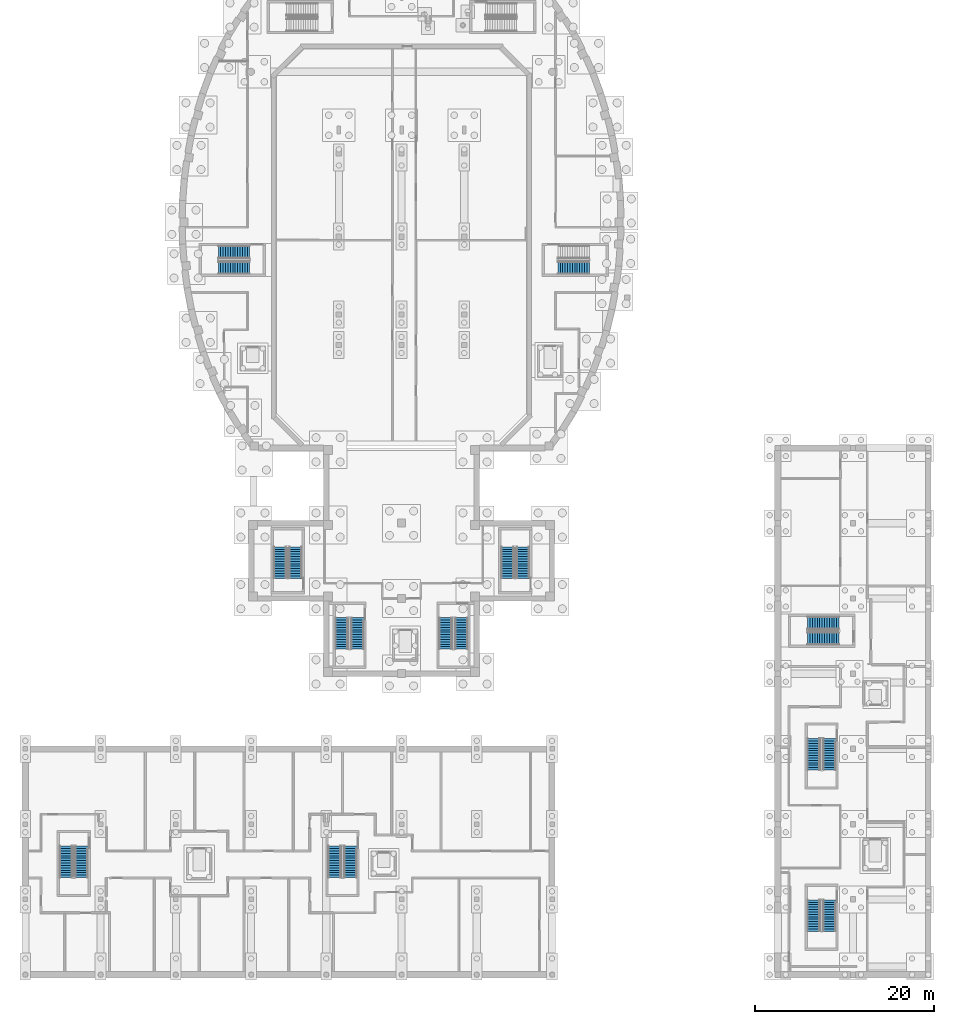
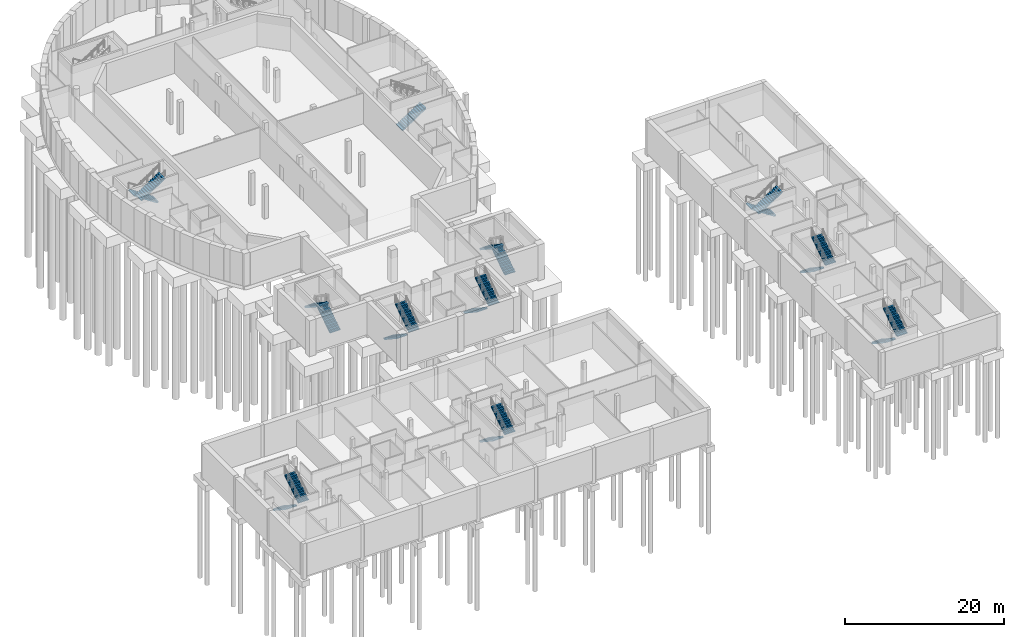
# One storey, part 17 of 33: 21 stair flights, 11 elements without a shape of their own.
"""IFC4 building model written with IfcOpenShell, lengths in metres."""

from ifc_helpers import new_model, si_unit, direction, frame, origin, place, context, subcontext, project, spatial, polyline, outline, extrude, material, type_object, element, aggregate, save


model = new_model("IFC4")

# Units and contexts
model_context = context("Model", 3, precision=1e-05, world=origin(), true_north=direction((0.0, 1.0)))
body_context = subcontext(model_context, "Body", "Model", "MODEL_VIEW")
ifc_project = project(units=[si_unit("LENGTHUNIT", "METRE"), si_unit("AREAUNIT", "SQUARE_METRE"), si_unit("VOLUMEUNIT", "CUBIC_METRE"), si_unit("PLANEANGLEUNIT", "RADIAN"), si_unit("MASSUNIT", "GRAM", prefix="KILO")], contexts=[model_context])

# Site, building, storey
site_placement = place(None, origin())
site = spatial("IfcSite", under=ifc_project, at=site_placement, CompositionType="ELEMENT")
building_placement = place(site_placement, origin())
building = spatial("IfcBuilding", under=site, at=building_placement, Name="Larchfold Concert Hall", CompositionType="ELEMENT")
storey_placement = place(building_placement, frame((0.0, 0.0, -5.0)))
storey = spatial("IfcBuildingStorey", under=building, at=storey_placement, Name="B1", CompositionType="ELEMENT", Elevation=-5.0)

# Stair, stair flights
ifc_material_1 = material(Name="Concrete C35/45", Category="concrete")
stair_type = type_object("IfcStairType", Name="Stair RC half-turn enclosed", PredefinedType="HALF_TURN_STAIR", material=ifc_material_1)
stair_1_placement = place(storey_placement, origin())
stair_1 = element("IfcStair", 1, at=stair_1_placement, inside=storey, type_object=stair_type, Name="Stair DS7", PredefinedType="HALF_TURN_STAIR")
ifc_material_2 = material(Name="Concrete C35/45", Category="concrete")
stair_flight_type = type_object("IfcStairFlightType", Name="Stair flight RC 1500 x 178.6", PredefinedType="STRAIGHT", material=ifc_material_2)
stair_flight_1_placement = place(storey_placement, frame((25.64990234375, 81.25, 0.0), z_axis=(0.0, 0.0, 1.0), x_axis=(-1.0, 0.0, 0.0)))
stair_flight_1 = element("IfcStairFlight", 2, at=stair_flight_1_placement, type_object=stair_flight_type, Name="ST07 flight 1", NumberOfRisers=14, NumberOfTreads=13, PredefinedType="STRAIGHT", RiserHeight=0.178571429, TreadLength=0.27, context=body_context, shape_type="SweptSolid", body=[
    extrude(outline(polyline([(0.0, 0.0), (0.0, 0.178466796875), (0.27001953125, 0.178466796875), (0.27001953125, 0.357177734375), (0.5400390625, 0.357177734375), (0.5400390625, 0.53564453125), (0.81005859375, 0.53564453125), (0.81005859375, 0.71435546875), (1.080078125, 0.71435546875), (1.080078125, 0.892822265625), (1.35009765625, 0.892822265625), (1.35009765625, 1.071533203125), (1.6201171875, 1.071533203125), (1.6201171875, 1.25), (1.889892578125, 1.25), (1.889892578125, 1.428466796875), (2.159912109375, 1.428466796875), (2.159912109375, 1.607177734375), (2.429931640625, 1.607177734375), (2.429931640625, 1.78564453125), (2.699951171875, 1.78564453125), (2.699951171875, 1.96435546875), (2.969970703125, 1.96435546875), (2.969970703125, 2.142822265625), (3.239990234375, 2.142822265625), (3.239990234375, 2.321533203125), (3.510009765625, 2.321533203125), (3.510009765625, 2.5), (3.510009765625, 2.1416015625), (0.271728515625, 0.0), (0.0, 0.0)])), frame((0.0, 0.75, 0.0), z_axis=(0.0, -1.0, 0.0), x_axis=(1.0, 0.0, 0.0)), (0.0, 0.0, 1.0), 1.5),
])
stair_flight_2_placement = place(storey_placement, frame((22.139892578125, 79.550048828125, 2.5), z_axis=(0.0, 0.0, 1.0), x_axis=(1.0, 0.0, 0.0)))
stair_flight_2 = element("IfcStairFlight", 3, at=stair_flight_2_placement, type_object=stair_flight_type, Name="ST07 flight 2", NumberOfRisers=14, NumberOfTreads=13, PredefinedType="STRAIGHT", RiserHeight=0.178571429, TreadLength=0.27, context=body_context, shape_type="SweptSolid", body=[
    extrude(outline(polyline([(0.0, 0.0), (0.0, 0.178466796875), (0.27001953125, 0.178466796875), (0.27001953125, 0.357177734375), (0.5400390625, 0.357177734375), (0.5400390625, 0.53564453125), (0.81005859375, 0.53564453125), (0.81005859375, 0.71435546875), (1.080078125, 0.71435546875), (1.080078125, 0.892822265625), (1.35009765625, 0.892822265625), (1.35009765625, 1.071533203125), (1.6201171875, 1.071533203125), (1.6201171875, 1.25), (1.889892578125, 1.25), (1.889892578125, 1.428466796875), (2.159912109375, 1.428466796875), (2.159912109375, 1.607177734375), (2.429931640625, 1.607177734375), (2.429931640625, 1.78564453125), (2.699951171875, 1.78564453125), (2.699951171875, 1.96435546875), (2.969970703125, 1.96435546875), (2.969970703125, 2.142822265625), (3.239990234375, 2.142822265625), (3.239990234375, 2.321533203125), (3.510009765625, 2.321533203125), (3.510009765625, 2.5), (3.510009765625, 2.1416015625), (0.271728515625, 0.0), (0.0, 0.0)])), frame((0.0, 0.75, 0.0), z_axis=(0.0, -1.0, 0.0), x_axis=(1.0, 0.0, 0.0)), (0.0, 0.0, 1.0), 1.5),
])
aggregate(stair_1, [stair_flight_1, stair_flight_2])

# Stair, stair flight
stair_2_placement = place(storey_placement, origin())
stair_2 = element("IfcStair", 4, at=stair_2_placement, inside=storey, type_object=stair_type, Name="Stair DS8", PredefinedType="HALF_TURN_STAIR")
stair_flight_3_placement = place(storey_placement, frame((60.050048828125, 79.550048828125, 0.0), z_axis=(0.0, 0.0, 1.0), x_axis=(1.0, 0.0, 0.0)))
stair_flight_3 = element("IfcStairFlight", 5, at=stair_flight_3_placement, type_object=stair_flight_type, Name="ST08 flight 1", NumberOfRisers=14, NumberOfTreads=13, PredefinedType="STRAIGHT", RiserHeight=0.178571429, TreadLength=0.27, context=body_context, shape_type="SweptSolid", body=[
    extrude(outline(polyline([(0.0, 0.0), (0.0, 0.178466796875), (0.27001953125, 0.178466796875), (0.27001953125, 0.357177734375), (0.5400390625, 0.357177734375), (0.5400390625, 0.53564453125), (0.81005859375, 0.53564453125), (0.81005859375, 0.71435546875), (1.080078125, 0.71435546875), (1.080078125, 0.892822265625), (1.35009765625, 0.892822265625), (1.35009765625, 1.071533203125), (1.6201171875, 1.071533203125), (1.6201171875, 1.25), (1.889892578125, 1.25), (1.889892578125, 1.428466796875), (2.159912109375, 1.428466796875), (2.159912109375, 1.607177734375), (2.429931640625, 1.607177734375), (2.429931640625, 1.78564453125), (2.699951171875, 1.78564453125), (2.699951171875, 1.96435546875), (2.969970703125, 1.96435546875), (2.969970703125, 2.142822265625), (3.239990234375, 2.142822265625), (3.239990234375, 2.321533203125), (3.510009765625, 2.321533203125), (3.510009765625, 2.5), (3.510009765625, 2.1416015625), (0.271728515625, 0.0), (0.0, 0.0)])), frame((0.0, 0.75, 0.0), z_axis=(0.0, -1.0, 0.0), x_axis=(1.0, 0.0, 0.0)), (0.0, 0.0, 1.0), 1.5),
])
aggregate(stair_2, [stair_flight_3])

# Stair, stair flights
stair_3_placement = place(storey_placement, origin())
stair_3 = element("IfcStair", 6, at=stair_3_placement, inside=storey, type_object=stair_type, Name="Stair SH1", PredefinedType="HALF_TURN_STAIR")
stair_flight_4_placement = place(storey_placement, frame((30.75, 44.85009765625, 0.0), z_axis=(0.0, 0.0, 1.0), x_axis=(0.0, 1.0, 0.0)))
stair_flight_4 = element("IfcStairFlight", 7, at=stair_flight_4_placement, type_object=stair_flight_type, Name="ST09 flight 1", NumberOfRisers=14, NumberOfTreads=13, PredefinedType="STRAIGHT", RiserHeight=0.178571429, TreadLength=0.27, context=body_context, shape_type="SweptSolid", body=[
    extrude(outline(polyline([(0.0, 0.0), (0.0, 0.178466796875), (0.27001953125, 0.178466796875), (0.27001953125, 0.357177734375), (0.5400390625, 0.357177734375), (0.5400390625, 0.53564453125), (0.81005859375, 0.53564453125), (0.81005859375, 0.71435546875), (1.080078125, 0.71435546875), (1.080078125, 0.892822265625), (1.35009765625, 0.892822265625), (1.35009765625, 1.071533203125), (1.6201171875, 1.071533203125), (1.6201171875, 1.25), (1.889892578125, 1.25), (1.889892578125, 1.428466796875), (2.159912109375, 1.428466796875), (2.159912109375, 1.607177734375), (2.429931640625, 1.607177734375), (2.429931640625, 1.78564453125), (2.699951171875, 1.78564453125), (2.699951171875, 1.96435546875), (2.969970703125, 1.96435546875), (2.969970703125, 2.142822265625), (3.239990234375, 2.142822265625), (3.239990234375, 2.321533203125), (3.510009765625, 2.321533203125), (3.510009765625, 2.5), (3.510009765625, 2.1416015625), (0.271728515625, 0.0), (0.0, 0.0)])), frame((0.0, 0.75, 0.0), z_axis=(0.0, -1.0, 0.0), x_axis=(1.0, 0.0, 0.0)), (0.0, 0.0, 1.0), 1.5),
])
stair_flight_5_placement = place(storey_placement, frame((29.050048828125, 48.360107421875, 2.5), z_axis=(0.0, 0.0, 1.0), x_axis=(0.0, -1.0, 0.0)))
stair_flight_5 = element("IfcStairFlight", 8, at=stair_flight_5_placement, type_object=stair_flight_type, Name="ST09 flight 2", NumberOfRisers=14, NumberOfTreads=13, PredefinedType="STRAIGHT", RiserHeight=0.178571429, TreadLength=0.27, context=body_context, shape_type="SweptSolid", body=[
    extrude(outline(polyline([(0.0, 0.0), (0.0, 0.178466796875), (0.27001953125, 0.178466796875), (0.27001953125, 0.357177734375), (0.5400390625, 0.357177734375), (0.5400390625, 0.53564453125), (0.81005859375, 0.53564453125), (0.81005859375, 0.71435546875), (1.080078125, 0.71435546875), (1.080078125, 0.892822265625), (1.35009765625, 0.892822265625), (1.35009765625, 1.071533203125), (1.6201171875, 1.071533203125), (1.6201171875, 1.25), (1.889892578125, 1.25), (1.889892578125, 1.428466796875), (2.159912109375, 1.428466796875), (2.159912109375, 1.607177734375), (2.429931640625, 1.607177734375), (2.429931640625, 1.78564453125), (2.699951171875, 1.78564453125), (2.699951171875, 1.96435546875), (2.969970703125, 1.96435546875), (2.969970703125, 2.142822265625), (3.239990234375, 2.142822265625), (3.239990234375, 2.321533203125), (3.510009765625, 2.321533203125), (3.510009765625, 2.5), (3.510009765625, 2.1416015625), (0.271728515625, 0.0), (0.0, 0.0)])), frame((0.0, 0.75, 0.0), z_axis=(0.0, -1.0, 0.0), x_axis=(1.0, 0.0, 0.0)), (0.0, 0.0, 1.0), 1.5),
])
aggregate(stair_3, [stair_flight_4, stair_flight_5])

stair_4_placement = place(storey_placement, origin())
stair_4 = element("IfcStair", 9, at=stair_4_placement, inside=storey, type_object=stair_type, Name="Stair SH2", PredefinedType="HALF_TURN_STAIR")
stair_flight_6_placement = place(storey_placement, frame((56.14990234375, 44.85009765625, 0.0), z_axis=(0.0, 0.0, 1.0), x_axis=(0.0, 1.0, 0.0)))
stair_flight_6 = element("IfcStairFlight", 10, at=stair_flight_6_placement, type_object=stair_flight_type, Name="ST10 flight 1", NumberOfRisers=14, NumberOfTreads=13, PredefinedType="STRAIGHT", RiserHeight=0.178571429, TreadLength=0.27, context=body_context, shape_type="SweptSolid", body=[
    extrude(outline(polyline([(0.0, 0.0), (0.0, 0.178466796875), (0.27001953125, 0.178466796875), (0.27001953125, 0.357177734375), (0.5400390625, 0.357177734375), (0.5400390625, 0.53564453125), (0.81005859375, 0.53564453125), (0.81005859375, 0.71435546875), (1.080078125, 0.71435546875), (1.080078125, 0.892822265625), (1.35009765625, 0.892822265625), (1.35009765625, 1.071533203125), (1.6201171875, 1.071533203125), (1.6201171875, 1.25), (1.889892578125, 1.25), (1.889892578125, 1.428466796875), (2.159912109375, 1.428466796875), (2.159912109375, 1.607177734375), (2.429931640625, 1.607177734375), (2.429931640625, 1.78564453125), (2.699951171875, 1.78564453125), (2.699951171875, 1.96435546875), (2.969970703125, 1.96435546875), (2.969970703125, 2.142822265625), (3.239990234375, 2.142822265625), (3.239990234375, 2.321533203125), (3.510009765625, 2.321533203125), (3.510009765625, 2.5), (3.510009765625, 2.1416015625), (0.271728515625, 0.0), (0.0, 0.0)])), frame((0.0, 0.75, 0.0), z_axis=(0.0, -1.0, 0.0), x_axis=(1.0, 0.0, 0.0)), (0.0, 0.0, 1.0), 1.5),
])
stair_flight_7_placement = place(storey_placement, frame((54.449951171875, 48.360107421875, 2.5), z_axis=(0.0, 0.0, 1.0), x_axis=(0.0, -1.0, 0.0)))
stair_flight_7 = element("IfcStairFlight", 11, at=stair_flight_7_placement, type_object=stair_flight_type, Name="ST10 flight 2", NumberOfRisers=14, NumberOfTreads=13, PredefinedType="STRAIGHT", RiserHeight=0.178571429, TreadLength=0.27, context=body_context, shape_type="SweptSolid", body=[
    extrude(outline(polyline([(0.0, 0.0), (0.0, 0.178466796875), (0.27001953125, 0.178466796875), (0.27001953125, 0.357177734375), (0.5400390625, 0.357177734375), (0.5400390625, 0.53564453125), (0.81005859375, 0.53564453125), (0.81005859375, 0.71435546875), (1.080078125, 0.71435546875), (1.080078125, 0.892822265625), (1.35009765625, 0.892822265625), (1.35009765625, 1.071533203125), (1.6201171875, 1.071533203125), (1.6201171875, 1.25), (1.889892578125, 1.25), (1.889892578125, 1.428466796875), (2.159912109375, 1.428466796875), (2.159912109375, 1.607177734375), (2.429931640625, 1.607177734375), (2.429931640625, 1.78564453125), (2.699951171875, 1.78564453125), (2.699951171875, 1.96435546875), (2.969970703125, 1.96435546875), (2.969970703125, 2.142822265625), (3.239990234375, 2.142822265625), (3.239990234375, 2.321533203125), (3.510009765625, 2.321533203125), (3.510009765625, 2.5), (3.510009765625, 2.1416015625), (0.271728515625, 0.0), (0.0, 0.0)])), frame((0.0, 0.75, 0.0), z_axis=(0.0, -1.0, 0.0), x_axis=(1.0, 0.0, 0.0)), (0.0, 0.0, 1.0), 1.5),
])
aggregate(stair_4, [stair_flight_6, stair_flight_7])

stair_5_placement = place(storey_placement, origin())
stair_5 = element("IfcStair", 12, at=stair_5_placement, inside=storey, type_object=stair_type, Name="Stair SH3", PredefinedType="HALF_TURN_STAIR")
stair_flight_8_placement = place(storey_placement, frame((35.949951171875, 40.449951171875, 0.0), z_axis=(0.0, 0.0, 1.0), x_axis=(0.0, -1.0, 0.0)))
stair_flight_8 = element("IfcStairFlight", 13, at=stair_flight_8_placement, type_object=stair_flight_type, Name="ST11 flight 1", NumberOfRisers=14, NumberOfTreads=13, PredefinedType="STRAIGHT", RiserHeight=0.178571429, TreadLength=0.27, context=body_context, shape_type="SweptSolid", body=[
    extrude(outline(polyline([(0.0, 0.0), (0.0, 0.178466796875), (0.27001953125, 0.178466796875), (0.27001953125, 0.357177734375), (0.5400390625, 0.357177734375), (0.5400390625, 0.53564453125), (0.81005859375, 0.53564453125), (0.81005859375, 0.71435546875), (1.080078125, 0.71435546875), (1.080078125, 0.892822265625), (1.35009765625, 0.892822265625), (1.35009765625, 1.071533203125), (1.6201171875, 1.071533203125), (1.6201171875, 1.25), (1.889892578125, 1.25), (1.889892578125, 1.428466796875), (2.159912109375, 1.428466796875), (2.159912109375, 1.607177734375), (2.429931640625, 1.607177734375), (2.429931640625, 1.78564453125), (2.699951171875, 1.78564453125), (2.699951171875, 1.96435546875), (2.969970703125, 1.96435546875), (2.969970703125, 2.142822265625), (3.239990234375, 2.142822265625), (3.239990234375, 2.321533203125), (3.510009765625, 2.321533203125), (3.510009765625, 2.5), (3.510009765625, 2.1416015625), (0.271728515625, 0.0), (0.0, 0.0)])), frame((0.0, 0.75, 0.0), z_axis=(0.0, -1.0, 0.0), x_axis=(1.0, 0.0, 0.0)), (0.0, 0.0, 1.0), 1.5),
])
stair_flight_9_placement = place(storey_placement, frame((37.64990234375, 36.93994140625, 2.5), z_axis=(0.0, 0.0, 1.0), x_axis=(0.0, 1.0, 0.0)))
stair_flight_9 = element("IfcStairFlight", 14, at=stair_flight_9_placement, type_object=stair_flight_type, Name="ST11 flight 2", NumberOfRisers=14, NumberOfTreads=13, PredefinedType="STRAIGHT", RiserHeight=0.178571429, TreadLength=0.27, context=body_context, shape_type="SweptSolid", body=[
    extrude(outline(polyline([(0.0, 0.0), (0.0, 0.178466796875), (0.27001953125, 0.178466796875), (0.27001953125, 0.357177734375), (0.5400390625, 0.357177734375), (0.5400390625, 0.53564453125), (0.81005859375, 0.53564453125), (0.81005859375, 0.71435546875), (1.080078125, 0.71435546875), (1.080078125, 0.892822265625), (1.35009765625, 0.892822265625), (1.35009765625, 1.071533203125), (1.6201171875, 1.071533203125), (1.6201171875, 1.25), (1.889892578125, 1.25), (1.889892578125, 1.428466796875), (2.159912109375, 1.428466796875), (2.159912109375, 1.607177734375), (2.429931640625, 1.607177734375), (2.429931640625, 1.78564453125), (2.699951171875, 1.78564453125), (2.699951171875, 1.96435546875), (2.969970703125, 1.96435546875), (2.969970703125, 2.142822265625), (3.239990234375, 2.142822265625), (3.239990234375, 2.321533203125), (3.510009765625, 2.321533203125), (3.510009765625, 2.5), (3.510009765625, 2.1416015625), (0.271728515625, 0.0), (0.0, 0.0)])), frame((0.0, 0.75, 0.0), z_axis=(0.0, -1.0, 0.0), x_axis=(1.0, 0.0, 0.0)), (0.0, 0.0, 1.0), 1.5),
])
aggregate(stair_5, [stair_flight_8, stair_flight_9])

stair_6_placement = place(storey_placement, origin())
stair_6 = element("IfcStair", 15, at=stair_6_placement, inside=storey, type_object=stair_type, Name="Stair SH4", PredefinedType="HALF_TURN_STAIR")
stair_flight_10_placement = place(storey_placement, frame((47.550048828125, 40.449951171875, 0.0), z_axis=(0.0, 0.0, 1.0), x_axis=(0.0, -1.0, 0.0)))
stair_flight_10 = element("IfcStairFlight", 16, at=stair_flight_10_placement, type_object=stair_flight_type, Name="ST12 flight 1", NumberOfRisers=14, NumberOfTreads=13, PredefinedType="STRAIGHT", RiserHeight=0.178571429, TreadLength=0.27, context=body_context, shape_type="SweptSolid", body=[
    extrude(outline(polyline([(0.0, 0.0), (0.0, 0.178466796875), (0.27001953125, 0.178466796875), (0.27001953125, 0.357177734375), (0.5400390625, 0.357177734375), (0.5400390625, 0.53564453125), (0.81005859375, 0.53564453125), (0.81005859375, 0.71435546875), (1.080078125, 0.71435546875), (1.080078125, 0.892822265625), (1.35009765625, 0.892822265625), (1.35009765625, 1.071533203125), (1.6201171875, 1.071533203125), (1.6201171875, 1.25), (1.889892578125, 1.25), (1.889892578125, 1.428466796875), (2.159912109375, 1.428466796875), (2.159912109375, 1.607177734375), (2.429931640625, 1.607177734375), (2.429931640625, 1.78564453125), (2.699951171875, 1.78564453125), (2.699951171875, 1.96435546875), (2.969970703125, 1.96435546875), (2.969970703125, 2.142822265625), (3.239990234375, 2.142822265625), (3.239990234375, 2.321533203125), (3.510009765625, 2.321533203125), (3.510009765625, 2.5), (3.510009765625, 2.1416015625), (0.271728515625, 0.0), (0.0, 0.0)])), frame((0.0, 0.75, 0.0), z_axis=(0.0, -1.0, 0.0), x_axis=(1.0, 0.0, 0.0)), (0.0, 0.0, 1.0), 1.5),
])
stair_flight_11_placement = place(storey_placement, frame((49.25, 36.93994140625, 2.5), z_axis=(0.0, 0.0, 1.0), x_axis=(0.0, 1.0, 0.0)))
stair_flight_11 = element("IfcStairFlight", 17, at=stair_flight_11_placement, type_object=stair_flight_type, Name="ST12 flight 2", NumberOfRisers=14, NumberOfTreads=13, PredefinedType="STRAIGHT", RiserHeight=0.178571429, TreadLength=0.27, context=body_context, shape_type="SweptSolid", body=[
    extrude(outline(polyline([(0.0, 0.0), (0.0, 0.178466796875), (0.27001953125, 0.178466796875), (0.27001953125, 0.357177734375), (0.5400390625, 0.357177734375), (0.5400390625, 0.53564453125), (0.81005859375, 0.53564453125), (0.81005859375, 0.71435546875), (1.080078125, 0.71435546875), (1.080078125, 0.892822265625), (1.35009765625, 0.892822265625), (1.35009765625, 1.071533203125), (1.6201171875, 1.071533203125), (1.6201171875, 1.25), (1.889892578125, 1.25), (1.889892578125, 1.428466796875), (2.159912109375, 1.428466796875), (2.159912109375, 1.607177734375), (2.429931640625, 1.607177734375), (2.429931640625, 1.78564453125), (2.699951171875, 1.78564453125), (2.699951171875, 1.96435546875), (2.969970703125, 1.96435546875), (2.969970703125, 2.142822265625), (3.239990234375, 2.142822265625), (3.239990234375, 2.321533203125), (3.510009765625, 2.321533203125), (3.510009765625, 2.5), (3.510009765625, 2.1416015625), (0.271728515625, 0.0), (0.0, 0.0)])), frame((0.0, 0.75, 0.0), z_axis=(0.0, -1.0, 0.0), x_axis=(1.0, 0.0, 0.0)), (0.0, 0.0, 1.0), 1.5),
])
aggregate(stair_6, [stair_flight_10, stair_flight_11])

stair_7_placement = place(storey_placement, origin())
stair_7 = element("IfcStair", 18, at=stair_7_placement, inside=storey, type_object=stair_type, Name="Stair AW1", PredefinedType="HALF_TURN_STAIR")
stair_flight_12_placement = place(storey_placement, frame((88.64990234375, 8.949951171875, 0.0), z_axis=(0.0, 0.0, 1.0), x_axis=(0.0, -1.0, 0.0)))
stair_flight_12 = element("IfcStairFlight", 19, at=stair_flight_12_placement, type_object=stair_flight_type, Name="ST13 flight 1", NumberOfRisers=14, NumberOfTreads=13, PredefinedType="STRAIGHT", RiserHeight=0.178571429, TreadLength=0.27, context=body_context, shape_type="SweptSolid", body=[
    extrude(outline(polyline([(0.0, 0.0), (0.0, 0.178466796875), (0.27001953125, 0.178466796875), (0.27001953125, 0.357177734375), (0.5400390625, 0.357177734375), (0.5400390625, 0.53564453125), (0.81005859375, 0.53564453125), (0.81005859375, 0.71435546875), (1.080078125, 0.71435546875), (1.080078125, 0.892822265625), (1.35009765625, 0.892822265625), (1.35009765625, 1.071533203125), (1.6201171875, 1.071533203125), (1.6201171875, 1.25), (1.889892578125, 1.25), (1.889892578125, 1.428466796875), (2.159912109375, 1.428466796875), (2.159912109375, 1.607177734375), (2.429931640625, 1.607177734375), (2.429931640625, 1.78564453125), (2.699951171875, 1.78564453125), (2.699951171875, 1.96435546875), (2.969970703125, 1.96435546875), (2.969970703125, 2.142822265625), (3.239990234375, 2.142822265625), (3.239990234375, 2.321533203125), (3.510009765625, 2.321533203125), (3.510009765625, 2.5), (3.510009765625, 2.1416015625), (0.271728515625, 0.0), (0.0, 0.0)])), frame((0.0, 0.75, 0.0), z_axis=(0.0, -1.0, 0.0), x_axis=(1.0, 0.0, 0.0)), (0.0, 0.0, 1.0), 1.5),
])
stair_flight_13_placement = place(storey_placement, frame((90.349853515625, 5.43994140625, 2.5), z_axis=(0.0, 0.0, 1.0), x_axis=(0.0, 1.0, 0.0)))
stair_flight_13 = element("IfcStairFlight", 20, at=stair_flight_13_placement, type_object=stair_flight_type, Name="ST13 flight 2", NumberOfRisers=14, NumberOfTreads=13, PredefinedType="STRAIGHT", RiserHeight=0.178571429, TreadLength=0.27, context=body_context, shape_type="SweptSolid", body=[
    extrude(outline(polyline([(0.0, 0.0), (0.0, 0.178466796875), (0.27001953125, 0.178466796875), (0.27001953125, 0.357177734375), (0.5400390625, 0.357177734375), (0.5400390625, 0.53564453125), (0.81005859375, 0.53564453125), (0.81005859375, 0.71435546875), (1.080078125, 0.71435546875), (1.080078125, 0.892822265625), (1.35009765625, 0.892822265625), (1.35009765625, 1.071533203125), (1.6201171875, 1.071533203125), (1.6201171875, 1.25), (1.889892578125, 1.25), (1.889892578125, 1.428466796875), (2.159912109375, 1.428466796875), (2.159912109375, 1.607177734375), (2.429931640625, 1.607177734375), (2.429931640625, 1.78564453125), (2.699951171875, 1.78564453125), (2.699951171875, 1.96435546875), (2.969970703125, 1.96435546875), (2.969970703125, 2.142822265625), (3.239990234375, 2.142822265625), (3.239990234375, 2.321533203125), (3.510009765625, 2.321533203125), (3.510009765625, 2.5), (3.510009765625, 2.1416015625), (0.271728515625, 0.0), (0.0, 0.0)])), frame((0.0, 0.75, 0.0), z_axis=(0.0, -1.0, 0.0), x_axis=(1.0, 0.0, 0.0)), (0.0, 0.0, 1.0), 1.5),
])
aggregate(stair_7, [stair_flight_12, stair_flight_13])

stair_8_placement = place(storey_placement, origin())
stair_8 = element("IfcStair", 21, at=stair_8_placement, inside=storey, type_object=stair_type, Name="Stair AW2", PredefinedType="HALF_TURN_STAIR")
stair_flight_14_placement = place(storey_placement, frame((88.64990234375, 26.949951171875, 0.0), z_axis=(0.0, 0.0, 1.0), x_axis=(0.0, -1.0, 0.0)))
stair_flight_14 = element("IfcStairFlight", 22, at=stair_flight_14_placement, type_object=stair_flight_type, Name="ST14 flight 1", NumberOfRisers=14, NumberOfTreads=13, PredefinedType="STRAIGHT", RiserHeight=0.178571429, TreadLength=0.27, context=body_context, shape_type="SweptSolid", body=[
    extrude(outline(polyline([(0.0, 0.0), (0.0, 0.178466796875), (0.27001953125, 0.178466796875), (0.27001953125, 0.357177734375), (0.5400390625, 0.357177734375), (0.5400390625, 0.53564453125), (0.81005859375, 0.53564453125), (0.81005859375, 0.71435546875), (1.080078125, 0.71435546875), (1.080078125, 0.892822265625), (1.35009765625, 0.892822265625), (1.35009765625, 1.071533203125), (1.6201171875, 1.071533203125), (1.6201171875, 1.25), (1.889892578125, 1.25), (1.889892578125, 1.428466796875), (2.159912109375, 1.428466796875), (2.159912109375, 1.607177734375), (2.429931640625, 1.607177734375), (2.429931640625, 1.78564453125), (2.699951171875, 1.78564453125), (2.699951171875, 1.96435546875), (2.969970703125, 1.96435546875), (2.969970703125, 2.142822265625), (3.239990234375, 2.142822265625), (3.239990234375, 2.321533203125), (3.510009765625, 2.321533203125), (3.510009765625, 2.5), (3.510009765625, 2.1416015625), (0.271728515625, 0.0), (0.0, 0.0)])), frame((0.0, 0.75, 0.0), z_axis=(0.0, -1.0, 0.0), x_axis=(1.0, 0.0, 0.0)), (0.0, 0.0, 1.0), 1.5),
])
stair_flight_15_placement = place(storey_placement, frame((90.349853515625, 23.43994140625, 2.5), z_axis=(0.0, 0.0, 1.0), x_axis=(0.0, 1.0, 0.0)))
stair_flight_15 = element("IfcStairFlight", 23, at=stair_flight_15_placement, type_object=stair_flight_type, Name="ST14 flight 2", NumberOfRisers=14, NumberOfTreads=13, PredefinedType="STRAIGHT", RiserHeight=0.178571429, TreadLength=0.27, context=body_context, shape_type="SweptSolid", body=[
    extrude(outline(polyline([(0.0, 0.0), (0.0, 0.178466796875), (0.27001953125, 0.178466796875), (0.27001953125, 0.357177734375), (0.5400390625, 0.357177734375), (0.5400390625, 0.53564453125), (0.81005859375, 0.53564453125), (0.81005859375, 0.71435546875), (1.080078125, 0.71435546875), (1.080078125, 0.892822265625), (1.35009765625, 0.892822265625), (1.35009765625, 1.071533203125), (1.6201171875, 1.071533203125), (1.6201171875, 1.25), (1.889892578125, 1.25), (1.889892578125, 1.428466796875), (2.159912109375, 1.428466796875), (2.159912109375, 1.607177734375), (2.429931640625, 1.607177734375), (2.429931640625, 1.78564453125), (2.699951171875, 1.78564453125), (2.699951171875, 1.96435546875), (2.969970703125, 1.96435546875), (2.969970703125, 2.142822265625), (3.239990234375, 2.142822265625), (3.239990234375, 2.321533203125), (3.510009765625, 2.321533203125), (3.510009765625, 2.5), (3.510009765625, 2.1416015625), (0.271728515625, 0.0), (0.0, 0.0)])), frame((0.0, 0.75, 0.0), z_axis=(0.0, -1.0, 0.0), x_axis=(1.0, 0.0, 0.0)), (0.0, 0.0, 1.0), 1.5),
])
aggregate(stair_8, [stair_flight_14, stair_flight_15])

stair_9_placement = place(storey_placement, origin())
stair_9 = element("IfcStair", 24, at=stair_9_placement, inside=storey, type_object=stair_type, Name="Stair AW3", PredefinedType="HALF_TURN_STAIR")
stair_flight_16_placement = place(storey_placement, frame((91.449951171875, 39.85009765625, 0.0), z_axis=(0.0, 0.0, 1.0), x_axis=(-1.0, 0.0, 0.0)))
stair_flight_16 = element("IfcStairFlight", 25, at=stair_flight_16_placement, type_object=stair_flight_type, Name="ST15 flight 1", NumberOfRisers=14, NumberOfTreads=13, PredefinedType="STRAIGHT", RiserHeight=0.178571429, TreadLength=0.27, context=body_context, shape_type="SweptSolid", body=[
    extrude(outline(polyline([(0.0, 0.0), (0.0, 0.178466796875), (0.27001953125, 0.178466796875), (0.27001953125, 0.357177734375), (0.5400390625, 0.357177734375), (0.5400390625, 0.53564453125), (0.81005859375, 0.53564453125), (0.81005859375, 0.71435546875), (1.080078125, 0.71435546875), (1.080078125, 0.892822265625), (1.35009765625, 0.892822265625), (1.35009765625, 1.071533203125), (1.6201171875, 1.071533203125), (1.6201171875, 1.25), (1.889892578125, 1.25), (1.889892578125, 1.428466796875), (2.159912109375, 1.428466796875), (2.159912109375, 1.607177734375), (2.429931640625, 1.607177734375), (2.429931640625, 1.78564453125), (2.699951171875, 1.78564453125), (2.699951171875, 1.96435546875), (2.969970703125, 1.96435546875), (2.969970703125, 2.142822265625), (3.239990234375, 2.142822265625), (3.239990234375, 2.321533203125), (3.510009765625, 2.321533203125), (3.510009765625, 2.5), (3.510009765625, 2.1416015625), (0.271728515625, 0.0), (0.0, 0.0)])), frame((0.0, 0.75, 0.0), z_axis=(0.0, -1.0, 0.0), x_axis=(1.0, 0.0, 0.0)), (0.0, 0.0, 1.0), 1.5),
])
stair_flight_17_placement = place(storey_placement, frame((87.93994140625, 38.150146484375, 2.5), z_axis=(0.0, 0.0, 1.0), x_axis=(1.0, 0.0, 0.0)))
stair_flight_17 = element("IfcStairFlight", 26, at=stair_flight_17_placement, type_object=stair_flight_type, Name="ST15 flight 2", NumberOfRisers=14, NumberOfTreads=13, PredefinedType="STRAIGHT", RiserHeight=0.178571429, TreadLength=0.27, context=body_context, shape_type="SweptSolid", body=[
    extrude(outline(polyline([(0.0, 0.0), (0.0, 0.178466796875), (0.27001953125, 0.178466796875), (0.27001953125, 0.357177734375), (0.5400390625, 0.357177734375), (0.5400390625, 0.53564453125), (0.81005859375, 0.53564453125), (0.81005859375, 0.71435546875), (1.080078125, 0.71435546875), (1.080078125, 0.892822265625), (1.35009765625, 0.892822265625), (1.35009765625, 1.071533203125), (1.6201171875, 1.071533203125), (1.6201171875, 1.25), (1.889892578125, 1.25), (1.889892578125, 1.428466796875), (2.159912109375, 1.428466796875), (2.159912109375, 1.607177734375), (2.429931640625, 1.607177734375), (2.429931640625, 1.78564453125), (2.699951171875, 1.78564453125), (2.699951171875, 1.96435546875), (2.969970703125, 1.96435546875), (2.969970703125, 2.142822265625), (3.239990234375, 2.142822265625), (3.239990234375, 2.321533203125), (3.510009765625, 2.321533203125), (3.510009765625, 2.5), (3.510009765625, 2.1416015625), (0.271728515625, 0.0), (0.0, 0.0)])), frame((0.0, 0.75, 0.0), z_axis=(0.0, -1.0, 0.0), x_axis=(1.0, 0.0, 0.0)), (0.0, 0.0, 1.0), 1.5),
])
aggregate(stair_9, [stair_flight_16, stair_flight_17])

stair_10_placement = place(storey_placement, origin())
stair_10 = element("IfcStair", 27, at=stair_10_placement, inside=storey, type_object=stair_type, Name="Stair SW1", PredefinedType="HALF_TURN_STAIR")
stair_flight_18_placement = place(storey_placement, frame((5.14990234375, 14.949951171875, 0.0), z_axis=(0.0, 0.0, 1.0), x_axis=(0.0, -1.0, 0.0)))
stair_flight_18 = element("IfcStairFlight", 28, at=stair_flight_18_placement, type_object=stair_flight_type, Name="ST21 flight 1", NumberOfRisers=14, NumberOfTreads=13, PredefinedType="STRAIGHT", RiserHeight=0.178571429, TreadLength=0.27, context=body_context, shape_type="SweptSolid", body=[
    extrude(outline(polyline([(0.0, 0.0), (0.0, 0.178466796875), (0.27001953125, 0.178466796875), (0.27001953125, 0.357177734375), (0.5400390625, 0.357177734375), (0.5400390625, 0.53564453125), (0.81005859375, 0.53564453125), (0.81005859375, 0.71435546875), (1.080078125, 0.71435546875), (1.080078125, 0.892822265625), (1.35009765625, 0.892822265625), (1.35009765625, 1.071533203125), (1.6201171875, 1.071533203125), (1.6201171875, 1.25), (1.889892578125, 1.25), (1.889892578125, 1.428466796875), (2.159912109375, 1.428466796875), (2.159912109375, 1.607177734375), (2.429931640625, 1.607177734375), (2.429931640625, 1.78564453125), (2.699951171875, 1.78564453125), (2.699951171875, 1.96435546875), (2.969970703125, 1.96435546875), (2.969970703125, 2.142822265625), (3.239990234375, 2.142822265625), (3.239990234375, 2.321533203125), (3.510009765625, 2.321533203125), (3.510009765625, 2.5), (3.510009765625, 2.1416015625), (0.271728515625, 0.0), (0.0, 0.0)])), frame((0.0, 0.75, 0.0), z_axis=(0.0, -1.0, 0.0), x_axis=(1.0, 0.0, 0.0)), (0.0, 0.0, 1.0), 1.5),
])
stair_flight_19_placement = place(storey_placement, frame((6.849853515625, 11.43994140625, 2.5), z_axis=(0.0, 0.0, 1.0), x_axis=(0.0, 1.0, 0.0)))
stair_flight_19 = element("IfcStairFlight", 29, at=stair_flight_19_placement, type_object=stair_flight_type, Name="ST21 flight 2", NumberOfRisers=14, NumberOfTreads=13, PredefinedType="STRAIGHT", RiserHeight=0.178571429, TreadLength=0.27, context=body_context, shape_type="SweptSolid", body=[
    extrude(outline(polyline([(0.0, 0.0), (0.0, 0.178466796875), (0.27001953125, 0.178466796875), (0.27001953125, 0.357177734375), (0.5400390625, 0.357177734375), (0.5400390625, 0.53564453125), (0.81005859375, 0.53564453125), (0.81005859375, 0.71435546875), (1.080078125, 0.71435546875), (1.080078125, 0.892822265625), (1.35009765625, 0.892822265625), (1.35009765625, 1.071533203125), (1.6201171875, 1.071533203125), (1.6201171875, 1.25), (1.889892578125, 1.25), (1.889892578125, 1.428466796875), (2.159912109375, 1.428466796875), (2.159912109375, 1.607177734375), (2.429931640625, 1.607177734375), (2.429931640625, 1.78564453125), (2.699951171875, 1.78564453125), (2.699951171875, 1.96435546875), (2.969970703125, 1.96435546875), (2.969970703125, 2.142822265625), (3.239990234375, 2.142822265625), (3.239990234375, 2.321533203125), (3.510009765625, 2.321533203125), (3.510009765625, 2.5), (3.510009765625, 2.1416015625), (0.271728515625, 0.0), (0.0, 0.0)])), frame((0.0, 0.75, 0.0), z_axis=(0.0, -1.0, 0.0), x_axis=(1.0, 0.0, 0.0)), (0.0, 0.0, 1.0), 1.5),
])
aggregate(stair_10, [stair_flight_18, stair_flight_19])

stair_11_placement = place(storey_placement, origin())
stair_11 = element("IfcStair", 30, at=stair_11_placement, inside=storey, type_object=stair_type, Name="Stair SW2", PredefinedType="HALF_TURN_STAIR")
stair_flight_20_placement = place(storey_placement, frame((35.14990234375, 14.949951171875, 0.0), z_axis=(0.0, 0.0, 1.0), x_axis=(0.0, -1.0, 0.0)))
stair_flight_20 = element("IfcStairFlight", 31, at=stair_flight_20_placement, type_object=stair_flight_type, Name="ST22 flight 1", NumberOfRisers=14, NumberOfTreads=13, PredefinedType="STRAIGHT", RiserHeight=0.178571429, TreadLength=0.27, context=body_context, shape_type="SweptSolid", body=[
    extrude(outline(polyline([(0.0, 0.0), (0.0, 0.178466796875), (0.27001953125, 0.178466796875), (0.27001953125, 0.357177734375), (0.5400390625, 0.357177734375), (0.5400390625, 0.53564453125), (0.81005859375, 0.53564453125), (0.81005859375, 0.71435546875), (1.080078125, 0.71435546875), (1.080078125, 0.892822265625), (1.35009765625, 0.892822265625), (1.35009765625, 1.071533203125), (1.6201171875, 1.071533203125), (1.6201171875, 1.25), (1.889892578125, 1.25), (1.889892578125, 1.428466796875), (2.159912109375, 1.428466796875), (2.159912109375, 1.607177734375), (2.429931640625, 1.607177734375), (2.429931640625, 1.78564453125), (2.699951171875, 1.78564453125), (2.699951171875, 1.96435546875), (2.969970703125, 1.96435546875), (2.969970703125, 2.142822265625), (3.239990234375, 2.142822265625), (3.239990234375, 2.321533203125), (3.510009765625, 2.321533203125), (3.510009765625, 2.5), (3.510009765625, 2.1416015625), (0.271728515625, 0.0), (0.0, 0.0)])), frame((0.0, 0.75, 0.0), z_axis=(0.0, -1.0, 0.0), x_axis=(1.0, 0.0, 0.0)), (0.0, 0.0, 1.0), 1.5),
])
stair_flight_21_placement = place(storey_placement, frame((36.849853515625, 11.43994140625, 2.5), z_axis=(0.0, 0.0, 1.0), x_axis=(0.0, 1.0, 0.0)))
stair_flight_21 = element("IfcStairFlight", 32, at=stair_flight_21_placement, type_object=stair_flight_type, Name="ST22 flight 2", NumberOfRisers=14, NumberOfTreads=13, PredefinedType="STRAIGHT", RiserHeight=0.178571429, TreadLength=0.27, context=body_context, shape_type="SweptSolid", body=[
    extrude(outline(polyline([(0.0, 0.0), (0.0, 0.178466796875), (0.27001953125, 0.178466796875), (0.27001953125, 0.357177734375), (0.5400390625, 0.357177734375), (0.5400390625, 0.53564453125), (0.81005859375, 0.53564453125), (0.81005859375, 0.71435546875), (1.080078125, 0.71435546875), (1.080078125, 0.892822265625), (1.35009765625, 0.892822265625), (1.35009765625, 1.071533203125), (1.6201171875, 1.071533203125), (1.6201171875, 1.25), (1.889892578125, 1.25), (1.889892578125, 1.428466796875), (2.159912109375, 1.428466796875), (2.159912109375, 1.607177734375), (2.429931640625, 1.607177734375), (2.429931640625, 1.78564453125), (2.699951171875, 1.78564453125), (2.699951171875, 1.96435546875), (2.969970703125, 1.96435546875), (2.969970703125, 2.142822265625), (3.239990234375, 2.142822265625), (3.239990234375, 2.321533203125), (3.510009765625, 2.321533203125), (3.510009765625, 2.5), (3.510009765625, 2.1416015625), (0.271728515625, 0.0), (0.0, 0.0)])), frame((0.0, 0.75, 0.0), z_axis=(0.0, -1.0, 0.0), x_axis=(1.0, 0.0, 0.0)), (0.0, 0.0, 1.0), 1.5),
])
aggregate(stair_11, [stair_flight_20, stair_flight_21])

save(model, "model.ifc")
